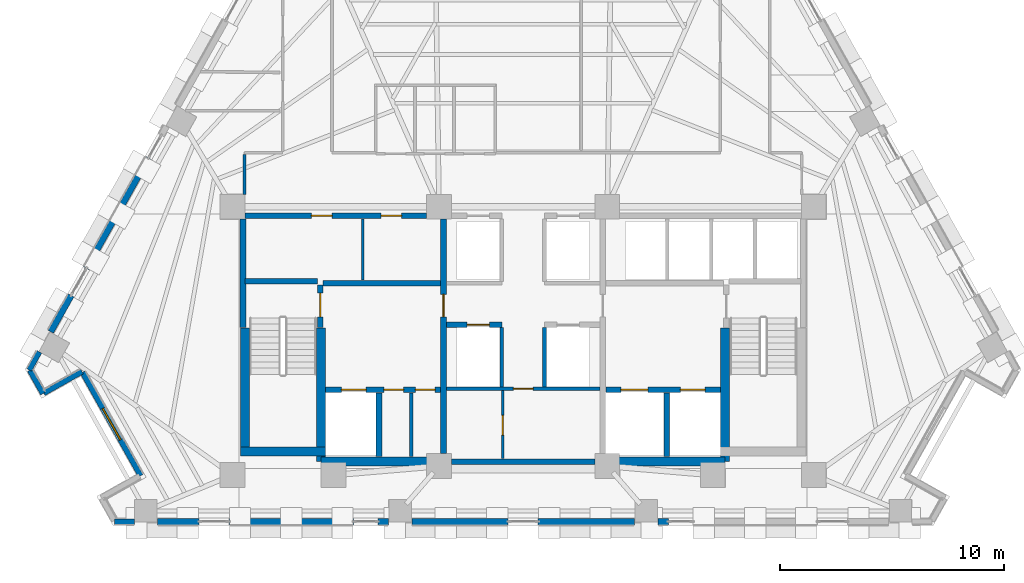
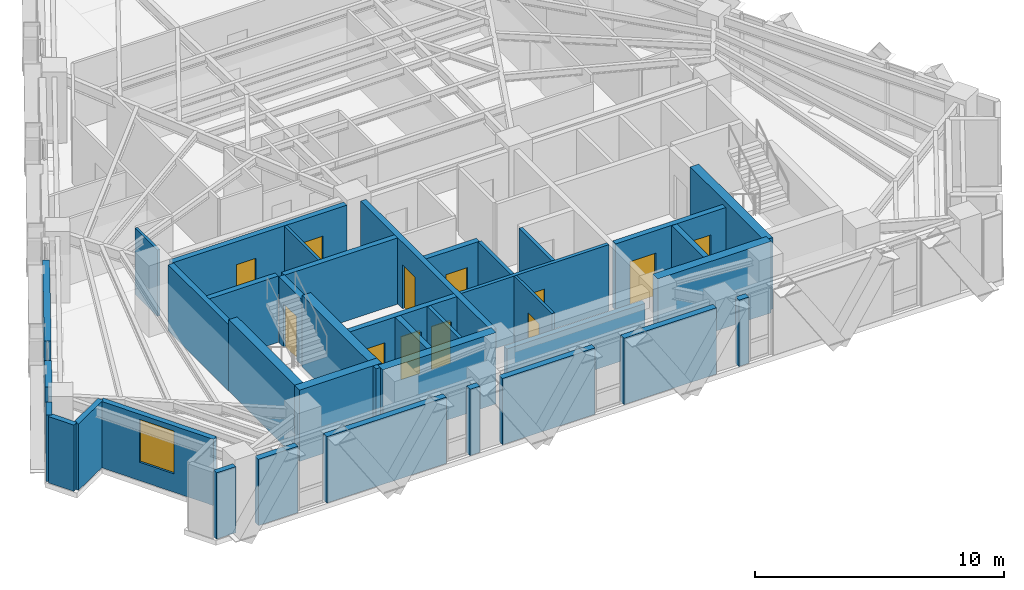
# One storey, part 7 of 13: 38 walls, 12 doors, 1 window, 13 openings.
"""IFC4 building model written with IfcOpenShell, lengths in metres."""

from ifc_helpers import new_model, si_unit, direction, frame, frame_2d, origin, place, context, subcontext, project, spatial, rectangle, extrude, material, layer, layer_set, type_object, element, fill, save


model = new_model("IFC4")

# Units and contexts
model_context = context("Model", 3, precision=1e-05, world=origin(), true_north=direction((0.0, 1.0)))
body_context = subcontext(model_context, "Body", "Model", "MODEL_VIEW")
ifc_project = project(units=[si_unit("LENGTHUNIT", "METRE"), si_unit("AREAUNIT", "SQUARE_METRE"), si_unit("VOLUMEUNIT", "CUBIC_METRE"), si_unit("PLANEANGLEUNIT", "RADIAN"), si_unit("MASSUNIT", "GRAM", prefix="KILO")], contexts=[model_context])

# Site, building, storey
site_placement = place(None, origin())
site = spatial("IfcSite", under=ifc_project, at=site_placement, CompositionType="ELEMENT")
building_placement = place(site_placement, origin())
building = spatial("IfcBuilding", under=site, at=building_placement, Name="Quenlor Broadcast Tower", CompositionType="ELEMENT")
storey_placement = place(building_placement, frame((0.0, 0.0, 161.5)))
storey = spatial("IfcBuildingStorey", under=building, at=storey_placement, Name="L44", CompositionType="ELEMENT", Elevation=161.5)

# Walls
ifc_material_1 = material(Name="Concrete C50/60", Category="concrete")
ifc_layer_1 = layer(ifc_material_1, 0.39990234375)
ifc_layer_set_1 = layer_set([ifc_layer_1], Name="Core Concrete C50/60 Shear Wall 400")
wall_type_1 = type_object("IfcWallType", Name="Core Concrete C50/60 Shear Wall 400", PredefinedType="SHEAR", material=ifc_layer_set_1)
wall_1_placement = place(storey_placement, frame((-12.60009765625, -15.699951171875, 0.0), z_axis=(0.0, 0.0, 1.0), x_axis=(1.0, 0.0, 0.0)))
element("IfcWall", 1, at=wall_1_placement, inside=storey, type_object=wall_type_1, Name="L44 Core Shear Wall WS-W1", PredefinedType="SHEAR", context=body_context, shape_type="SweptSolid", body=[
    extrude(rectangle(XDim=3.800048828125, YDim=0.39990234375, at=frame_2d((1.89990234375, 0.0))), origin(), (0.0, 0.0, 1.0), 3.5),
])
for number, where, z_axis, x_axis, name in (
    (2, (-9.0, -16.14990234375, 0.0), (0.0, 0.0, 1.0), (1.0, 0.0, 0.0), "L44 Core Shear Wall WS-W2"),
    (3, (3.75, -16.14990234375, 0.0), (0.0, 0.0, 1.0), (1.0, 0.0, 0.0), "L44 Core Shear Wall WS-E1"),
):
    element("IfcWall", number, at=place(storey_placement, frame(where, z_axis=z_axis, x_axis=x_axis)), inside=storey, type_object=wall_type_1, Name=name, PredefinedType="SHEAR", context=body_context, shape_type="SweptSolid", body=[
        extrude(rectangle(XDim=5.25, YDim=0.39990234375, at=frame_2d((2.625, 0.0))), origin(), (0.0, 0.0, 1.0), 3.5),
    ])
wall_2_placement = place(storey_placement, frame((-12.39990234375, -15.699951171875, 0.0), z_axis=(0.0, 0.0, 1.0), x_axis=(0.0, 1.0, 0.0)))
element("IfcWall", 4, at=wall_2_placement, inside=storey, type_object=wall_type_1, Name="L44 Core Shear Wall WF-W", PredefinedType="SHEAR", context=body_context, shape_type="SweptSolid", body=[
    extrude(rectangle(XDim=5.5, YDim=0.39990234375, at=frame_2d((2.75, 0.0))), origin(), (0.0, 0.0, 1.0), 3.5),
])
for number, where, z_axis, x_axis, name in (
    (5, (-9.0, -16.14990234375, 0.0), (0.0, 0.0, 1.0), (0.0, 1.0, 0.0), "L44 Core Shear Wall WI-W"),
    (6, (9.0, -16.14990234375, 0.0), (0.0, 0.0, 1.0), (0.0, 1.0, 0.0), "L44 Core Shear Wall WI-E"),
):
    element("IfcWall", number, at=place(storey_placement, frame(where, z_axis=z_axis, x_axis=x_axis)), inside=storey, type_object=wall_type_1, Name=name, PredefinedType="SHEAR", context=body_context, shape_type="SweptSolid", body=[
        extrude(rectangle(XDim=5.949951171875, YDim=0.39990234375, at=frame_2d((2.97509765625, 0.0))), origin(), (0.0, 0.0, 1.0), 3.5),
    ])

# Wall, opening, door
ifc_material_2 = material(Name="Concrete C40/50", Category="concrete")
ifc_layer_2 = layer(ifc_material_2, 0.25)
ifc_layer_set_2 = layer_set([ifc_layer_2], Name="Fire Rated Concrete C40/50 Core Wall 250")
wall_type_2 = type_object("IfcWallType", Name="Fire Rated Concrete C40/50 Core Wall 250", PredefinedType="PARTITIONING", material=ifc_layer_set_2)
wall_3_placement = place(storey_placement, frame((-9.0400390625, -10.179931640625, 0.0), z_axis=(0.0, 0.0, 1.0), x_axis=(0.0, 1.0, 0.0)))
wall_3 = element("IfcWall", 7, at=wall_3_placement, inside=storey, type_object=wall_type_2, Name="L44 Interior Wall CW-ST1-DR", PredefinedType="PARTITIONING", context=body_context, shape_type="SweptSolid", body=[
    extrude(rectangle(XDim=1.89990234375, YDim=0.25, at=frame_2d((0.949951171875, 0.0))), origin(), (0.0, 0.0, 1.0), 3.25),
])
opening_1_placement = place(wall_3_placement, frame((0.47998046875, 0.0, 0.0)))
opening_1 = element("IfcOpeningElement", 8, at=opening_1_placement, cuts=wall_3, Name="Opening FD-1", PredefinedType="OPENING", context=body_context, shape_type="SweptSolid", body=[
    extrude(rectangle(XDim=1.050048828125, YDim=2.14990234375, at=frame_2d((0.52490234375, 1.074951171875))), frame((0.0, 0.135009765625, 0.0), z_axis=(0.0, -1.0, 0.0), x_axis=(1.0, 0.0, 0.0)), (0.0, 0.0, 1.0), 0.27001953125),
])
ifc_material_3 = material(Name="Fire Rated Steel Door Leaf", Category="steel")
door_type_1 = type_object("IfcDoorType", Name="Fire Isolated Stair Door 1050x2150", OperationType="NOTDEFINED", PredefinedType="DOOR", material=ifc_material_3)
door_1_placement = place(opening_1_placement, origin())
door_1 = element("IfcDoor", 9, at=door_1_placement, inside=storey, type_object=door_type_1, Name="L44 Door DR-ST1", OperationType="SINGLE_SWING_LEFT", OverallHeight=2.14990234375, OverallWidth=1.050048828125, PredefinedType="DOOR", context=body_context, shape_type="SweptSolid", body=[
    extrude(rectangle(XDim=1.050048828125, YDim=2.14990234375, at=frame_2d((0.52490234375, 1.074951171875))), frame((0.0, 0.02490234375, 0.0), z_axis=(0.0, -1.0, 0.0), x_axis=(1.0, 0.0, 0.0)), (0.0, 0.0, 1.0), 0.050048828125),
])
fill(opening_1, door_1)

# Walls
wall_4_placement = place(storey_placement, frame((-12.3798828125, -8.1201171875, 0.0), z_axis=(0.0, 0.0, 1.0), x_axis=(1.0, 0.0, 0.0)))
element("IfcWall", 10, at=wall_4_placement, inside=storey, type_object=wall_type_2, Name="L44 Interior Wall CW-ST1-N", PredefinedType="PARTITIONING", context=body_context, shape_type="SweptSolid", body=[
    extrude(rectangle(XDim=3.219970703125, YDim=0.25, at=frame_2d((1.60986328125, 0.0))), origin(), (0.0, 0.0, 1.0), 3.25),
])
wall_5_placement = place(storey_placement, frame((-12.47998046875, -10.179931640625, 0.0), z_axis=(0.0, 0.0, 1.0), x_axis=(0.0, 1.0, 0.0)))
element("IfcWall", 11, at=wall_5_placement, inside=storey, type_object=wall_type_2, Name="L44 Interior Wall CW-ST1-W2", PredefinedType="PARTITIONING", context=body_context, shape_type="SweptSolid", body=[
    extrude(rectangle(XDim=4.827880859375, YDim=0.25, at=frame_2d((2.4140625, 0.0))), origin(), (0.0, 0.0, 1.0), 3.25),
])

# Wall, openings, doors
wall_6_placement = place(storey_placement, frame((-8.798095703125, -12.949951171875, 0.0), z_axis=(0.0, 0.0, 1.0), x_axis=(1.0, 0.0, 0.0)))
wall_6 = element("IfcWall", 12, at=wall_6_placement, inside=storey, type_object=wall_type_2, Name="L44 Interior Wall CW-FFW-S", PredefinedType="PARTITIONING", context=body_context, shape_type="SweptSolid", body=[
    extrude(rectangle(XDim=5.1181640625, YDim=0.25, at=frame_2d((2.55908203125, 0.0))), origin(), (0.0, 0.0, 1.0), 3.25),
])
opening_2_placement = place(wall_6_placement, frame((0.697998046875, 0.0, 0.0)))
opening_2 = element("IfcOpeningElement", 13, at=opening_2_placement, cuts=wall_6, Name="Opening LD-FFL-1", PredefinedType="OPENING", context=body_context, shape_type="SweptSolid", body=[
    extrude(rectangle(XDim=1.10009765625, YDim=2.14990234375, at=frame_2d((0.550048828125, 1.074951171875))), frame((0.0, 0.135009765625, 0.0), z_axis=(0.0, -1.0, 0.0), x_axis=(1.0, 0.0, 0.0)), (0.0, 0.0, 1.0), 0.27001953125),
])
opening_3_placement = place(wall_6_placement, frame((2.597900390625, 0.0, 0.0)))
opening_3 = element("IfcOpeningElement", 14, at=opening_3_placement, cuts=wall_6, Name="Opening TD-1", PredefinedType="OPENING", context=body_context, shape_type="SweptSolid", body=[
    extrude(rectangle(XDim=0.8798828125, YDim=2.10009765625, at=frame_2d((0.43994140625, 1.050048828125))), frame((0.0, 0.135009765625, 0.0), z_axis=(0.0, -1.0, 0.0), x_axis=(1.0, 0.0, 0.0)), (0.0, 0.0, 1.0), 0.27001953125),
])
opening_4_placement = place(wall_6_placement, frame((3.998046875, 0.0, 0.0)))
opening_4 = element("IfcOpeningElement", 15, at=opening_4_placement, cuts=wall_6, Name="Opening TD-1", PredefinedType="OPENING", context=body_context, shape_type="SweptSolid", body=[
    extrude(rectangle(XDim=0.8798828125, YDim=2.10009765625, at=frame_2d((0.43994140625, 1.050048828125))), frame((0.0, 0.135009765625, 0.0), z_axis=(0.0, -1.0, 0.0), x_axis=(1.0, 0.0, 0.0)), (0.0, 0.0, 1.0), 0.27001953125),
])
ifc_material_4 = material(Name="Brushed Stainless Steel", Category="steel")
door_type_2 = type_object("IfcDoorType", Name="Emergency Lift Sliding Landing Door 1100x2150", OperationType="NOTDEFINED", PredefinedType="DOOR", material=ifc_material_4)
door_2_placement = place(opening_2_placement, origin())
door_2 = element("IfcDoor", 16, at=door_2_placement, inside=storey, type_object=door_type_2, Name="L44 Door LD-FFL-1", OperationType="SLIDING_TO_LEFT", OverallHeight=2.14990234375, OverallWidth=1.10009765625, PredefinedType="DOOR", context=body_context, shape_type="SweptSolid", body=[
    extrude(rectangle(XDim=1.10009765625, YDim=2.14990234375, at=frame_2d((0.550048828125, 1.074951171875))), frame((0.0, 0.02490234375, 0.0), z_axis=(0.0, -1.0, 0.0), x_axis=(1.0, 0.0, 0.0)), (0.0, 0.0, 1.0), 0.050048828125),
])
fill(opening_2, door_2)
ifc_material_5 = material(Name="Fire Rated Steel Access Panel", Category="steel")
door_type_3 = type_object("IfcDoorType", Name="Riser Shaft Rated Access Trapdoor 880x2100", OperationType="NOTDEFINED", PredefinedType="TRAPDOOR", material=ifc_material_5)
door_3_placement = place(opening_3_placement, origin())
door_3 = element("IfcDoor", 17, at=door_3_placement, inside=storey, type_object=door_type_3, Name="L44 Door DR-ELR", OperationType="SINGLE_SWING_LEFT", OverallHeight=2.10009765625, OverallWidth=0.8798828125, PredefinedType="TRAPDOOR", context=body_context, shape_type="SweptSolid", body=[
    extrude(rectangle(XDim=0.8798828125, YDim=2.10009765625, at=frame_2d((0.43994140625, 1.050048828125))), frame((0.0, 0.02490234375, 0.0), z_axis=(0.0, -1.0, 0.0), x_axis=(1.0, 0.0, 0.0)), (0.0, 0.0, 1.0), 0.050048828125),
])
fill(opening_3, door_3)
door_4_placement = place(opening_4_placement, origin())
door_4 = element("IfcDoor", 18, at=door_4_placement, inside=storey, type_object=door_type_3, Name="L44 Door DR-CMR", OperationType="SINGLE_SWING_RIGHT", OverallHeight=2.10009765625, OverallWidth=0.8798828125, PredefinedType="TRAPDOOR", context=body_context, shape_type="SweptSolid", body=[
    extrude(rectangle(XDim=0.8798828125, YDim=2.10009765625, at=frame_2d((0.43994140625, 1.050048828125))), frame((0.0, 0.02490234375, 0.0), z_axis=(0.0, -1.0, 0.0), x_axis=(1.0, 0.0, 0.0)), (0.0, 0.0, 1.0), 0.050048828125),
])
fill(opening_4, door_4)

wall_7_placement = place(storey_placement, frame((3.679931640625, -12.949951171875, 0.0), z_axis=(0.0, 0.0, 1.0), x_axis=(1.0, 0.0, 0.0)))
wall_7 = element("IfcWall", 19, at=wall_7_placement, inside=storey, type_object=wall_type_2, Name="L44 Interior Wall CW-FFE-S", PredefinedType="PARTITIONING", context=body_context, shape_type="SweptSolid", body=[
    extrude(rectangle(XDim=5.1181640625, YDim=0.25, at=frame_2d((2.55908203125, 0.0))), origin(), (0.0, 0.0, 1.0), 3.25),
])
opening_5_placement = place(wall_7_placement, frame((3.320068359375, 0.0, 0.0)))
opening_5 = element("IfcOpeningElement", 20, at=opening_5_placement, cuts=wall_7, Name="Opening LD-FFL-2", PredefinedType="OPENING", context=body_context, shape_type="SweptSolid", body=[
    extrude(rectangle(XDim=1.10009765625, YDim=2.14990234375, at=frame_2d((0.550048828125, 1.074951171875))), frame((0.0, 0.135009765625, 0.0), z_axis=(0.0, -1.0, 0.0), x_axis=(1.0, 0.0, 0.0)), (0.0, 0.0, 1.0), 0.27001953125),
])
opening_6_placement = place(wall_7_placement, frame((0.669921875, 0.0, 0.0)))
opening_6 = element("IfcOpeningElement", 21, at=opening_6_placement, cuts=wall_7, Name="Opening LD-SVL-1", PredefinedType="OPENING", context=body_context, shape_type="SweptSolid", body=[
    extrude(rectangle(XDim=1.199951171875, YDim=2.14990234375, at=frame_2d((0.60009765625, 1.074951171875))), frame((0.0, 0.135009765625, 0.0), z_axis=(0.0, -1.0, 0.0), x_axis=(1.0, 0.0, 0.0)), (0.0, 0.0, 1.0), 0.27001953125),
])
door_5_placement = place(opening_5_placement, origin())
door_5 = element("IfcDoor", 22, at=door_5_placement, inside=storey, type_object=door_type_2, Name="L44 Door LD-FFL-2", OperationType="SLIDING_TO_RIGHT", OverallHeight=2.14990234375, OverallWidth=1.10009765625, PredefinedType="DOOR", context=body_context, shape_type="SweptSolid", body=[
    extrude(rectangle(XDim=1.10009765625, YDim=2.14990234375, at=frame_2d((0.550048828125, 1.074951171875))), frame((0.0, 0.02490234375, 0.0), z_axis=(0.0, -1.0, 0.0), x_axis=(1.0, 0.0, 0.0)), (0.0, 0.0, 1.0), 0.050048828125),
])
fill(opening_5, door_5)
ifc_material_6 = material(Name="Brushed Stainless Steel", Category="steel")
door_type_4 = type_object("IfcDoorType", Name="Goods Lift Sliding Landing Door 1200x2150", OperationType="NOTDEFINED", PredefinedType="DOOR", material=ifc_material_6)
door_6_placement = place(opening_6_placement, origin())
door_6 = element("IfcDoor", 23, at=door_6_placement, inside=storey, type_object=door_type_4, Name="L44 Door LD-SVL-1", OperationType="SLIDING_TO_LEFT", OverallHeight=2.14990234375, OverallWidth=1.199951171875, PredefinedType="DOOR", context=body_context, shape_type="SweptSolid", body=[
    extrude(rectangle(XDim=1.199951171875, YDim=2.14990234375, at=frame_2d((0.60009765625, 1.074951171875))), frame((0.0, 0.02490234375, 0.0), z_axis=(0.0, -1.0, 0.0), x_axis=(1.0, 0.0, 0.0)), (0.0, 0.0, 1.0), 0.050048828125),
])
fill(opening_6, door_6)

# Walls
for number, where, z_axis, x_axis, name in (
    (24, (-6.419921875, -15.919921875, 0.0), (0.0, 0.0, 1.0), (0.0, 1.0, 0.0), "L44 Interior Wall CW-FF1-E"),
    (25, (6.39990234375, -15.919921875, 0.0), (0.0, 0.0, 1.0), (0.0, 1.0, 0.0), "L44 Interior Wall CW-SV1-E"),
):
    element("IfcWall", number, at=place(storey_placement, frame(where, z_axis=z_axis, x_axis=x_axis)), inside=storey, type_object=wall_type_2, Name=name, PredefinedType="PARTITIONING", context=body_context, shape_type="SweptSolid", body=[
        extrude(rectangle(XDim=2.829833984375, YDim=0.25, at=frame_2d((1.4150390625, 0.0))), origin(), (0.0, 0.0, 1.0), 3.25),
    ])
wall_8_placement = place(storey_placement, frame((-8.919921875, -8.199951171875, 0.0), z_axis=(0.0, 0.0, 1.0), x_axis=(1.0, 0.0, 0.0)))
element("IfcWall", 26, at=wall_8_placement, inside=storey, type_object=wall_type_2, Name="L44 Interior Wall CW-FFW-N", PredefinedType="PARTITIONING", context=body_context, shape_type="SweptSolid", body=[
    extrude(rectangle(XDim=5.239990234375, YDim=0.25, at=frame_2d((2.6201171875, 0.0))), origin(), (0.0, 0.0, 1.0), 3.25),
])

# Wall, opening, door
wall_9_placement = place(storey_placement, frame((-3.550048828125, -15.798095703125, 0.0), z_axis=(0.0, 0.0, 1.0), x_axis=(0.0, 1.0, 0.0)))
wall_9 = element("IfcWall", 27, at=wall_9_placement, inside=storey, type_object=wall_type_2, Name="L44 Interior Wall CW-FFW-E", PredefinedType="PARTITIONING", context=body_context, shape_type="SweptSolid", body=[
    extrude(rectangle(XDim=10.446044921875, YDim=0.25, at=frame_2d((5.22314453125, 0.0))), origin(), (0.0, 0.0, 1.0), 3.25),
])
opening_7_placement = place(wall_9_placement, frame((6.097900390625, 0.0, 0.0)))
opening_7 = element("IfcOpeningElement", 28, at=opening_7_placement, cuts=wall_9, Name="Opening FD-2", PredefinedType="OPENING", context=body_context, shape_type="SweptSolid", body=[
    extrude(rectangle(XDim=1.0, YDim=2.14990234375, at=frame_2d((0.5, 1.074951171875))), frame((0.0, 0.135009765625, 0.0), z_axis=(0.0, -1.0, 0.0), x_axis=(1.0, 0.0, 0.0)), (0.0, 0.0, 1.0), 0.27001953125),
])
ifc_material_7 = material(Name="Fire Rated Glazed Steel Door", Category="steel")
door_type_5 = type_object("IfcDoorType", Name="Firefighting Lobby Smoke Door 1000x2150", OperationType="NOTDEFINED", PredefinedType="DOOR", material=ifc_material_7)
door_7_placement = place(opening_7_placement, origin())
door_7 = element("IfcDoor", 29, at=door_7_placement, inside=storey, type_object=door_type_5, Name="L44 Door DR-FFLW", OperationType="SINGLE_SWING_RIGHT", OverallHeight=2.14990234375, OverallWidth=1.0, PredefinedType="DOOR", context=body_context, shape_type="SweptSolid", body=[
    extrude(rectangle(XDim=1.0, YDim=2.14990234375, at=frame_2d((0.5, 1.074951171875))), frame((0.0, 0.02490234375, 0.0), z_axis=(0.0, -1.0, 0.0), x_axis=(1.0, 0.0, 0.0)), (0.0, 0.0, 1.0), 0.050048828125),
])
fill(opening_7, door_7)

# Wall, openings, doors
wall_10_placement = place(storey_placement, frame((-12.39794921875, -5.199951171875, 0.0), z_axis=(0.0, 0.0, 1.0), x_axis=(1.0, 0.0, 0.0)))
wall_10 = element("IfcWall", 30, at=wall_10_placement, inside=storey, type_object=wall_type_2, Name="L44 Interior Wall CW-N-W", PredefinedType="PARTITIONING", context=body_context, shape_type="SweptSolid", body=[
    extrude(rectangle(XDim=8.095947265625, YDim=0.25, at=frame_2d((4.0478515625, 0.0))), origin(), (0.0, 0.0, 1.0), 3.25),
])
opening_8_placement = place(wall_10_placement, frame((2.968017578125, 0.0, 0.0)))
opening_8 = element("IfcOpeningElement", 31, at=opening_8_placement, cuts=wall_10, Name="Opening ID-1", PredefinedType="OPENING", context=body_context, shape_type="SweptSolid", body=[
    extrude(rectangle(XDim=0.919921875, YDim=2.1201171875, at=frame_2d((0.4599609375, 1.06005859375))), frame((0.0, 0.135009765625, 0.0), z_axis=(0.0, -1.0, 0.0), x_axis=(1.0, 0.0, 0.0)), (0.0, 0.0, 1.0), 0.27001953125),
])
opening_9_placement = place(wall_10_placement, frame((6.068115234375, 0.0, 0.0)))
opening_9 = element("IfcOpeningElement", 32, at=opening_9_placement, cuts=wall_10, Name="Opening ID-1", PredefinedType="OPENING", context=body_context, shape_type="SweptSolid", body=[
    extrude(rectangle(XDim=0.919921875, YDim=2.1201171875, at=frame_2d((0.4599609375, 1.06005859375))), frame((0.0, 0.135009765625, 0.0), z_axis=(0.0, -1.0, 0.0), x_axis=(1.0, 0.0, 0.0)), (0.0, 0.0, 1.0), 0.27001953125),
])
ifc_material_8 = material(Name="Solid Core Timber Oak", Category="wood")
door_type_6 = type_object("IfcDoorType", Name="Single Leaf Timber Office Door 920x2120", OperationType="NOTDEFINED", PredefinedType="DOOR", material=ifc_material_8)
door_8_placement = place(opening_8_placement, origin())
door_8 = element("IfcDoor", 33, at=door_8_placement, inside=storey, type_object=door_type_6, Name="L44 Door DR-RCL1", OperationType="SINGLE_SWING_LEFT", OverallHeight=2.1201171875, OverallWidth=0.919921875, PredefinedType="DOOR", context=body_context, shape_type="SweptSolid", body=[
    extrude(rectangle(XDim=0.919921875, YDim=2.1201171875, at=frame_2d((0.4599609375, 1.06005859375))), frame((0.0, 0.02490234375, 0.0), z_axis=(0.0, -1.0, 0.0), x_axis=(1.0, 0.0, 0.0)), (0.0, 0.0, 1.0), 0.050048828125),
])
fill(opening_8, door_8)
door_9_placement = place(opening_9_placement, origin())
door_9 = element("IfcDoor", 34, at=door_9_placement, inside=storey, type_object=door_type_6, Name="L44 Door DR-RCL2", OperationType="SINGLE_SWING_RIGHT", OverallHeight=2.1201171875, OverallWidth=0.919921875, PredefinedType="DOOR", context=body_context, shape_type="SweptSolid", body=[
    extrude(rectangle(XDim=0.919921875, YDim=2.1201171875, at=frame_2d((0.4599609375, 1.06005859375))), frame((0.0, 0.02490234375, 0.0), z_axis=(0.0, -1.0, 0.0), x_axis=(1.0, 0.0, 0.0)), (0.0, 0.0, 1.0), 0.050048828125),
])
fill(opening_9, door_9)

# Wall
wall_11_placement = place(storey_placement, frame((-3.197998046875, -16.14990234375, 0.0), z_axis=(0.0, 0.0, 1.0), x_axis=(1.0, 0.0, 0.0)))
element("IfcWall", 35, at=wall_11_placement, inside=storey, type_object=wall_type_2, Name="L44 Interior Wall CW-MS-S", PredefinedType="PARTITIONING", context=body_context, shape_type="SweptSolid", body=[
    extrude(rectangle(XDim=6.39599609375, YDim=0.25, at=frame_2d((3.197998046875, 0.0))), origin(), (0.0, 0.0, 1.0), 2.449951171875),
])

# Wall, opening, door
wall_12_placement = place(storey_placement, frame((-3.419921875, -10.050048828125, 0.0), z_axis=(0.0, 0.0, 1.0), x_axis=(1.0, 0.0, 0.0)))
wall_12 = element("IfcWall", 36, at=wall_12_placement, inside=storey, type_object=wall_type_2, Name="L44 Interior Wall CW-MS-N1", PredefinedType="PARTITIONING", context=body_context, shape_type="SweptSolid", body=[
    extrude(rectangle(XDim=2.469970703125, YDim=0.25, at=frame_2d((1.23486328125, 0.0))), origin(), (0.0, 0.0, 1.0), 3.25),
])
opening_10_placement = place(wall_12_placement, frame((0.919921875, 0.0, 0.0)))
opening_10 = element("IfcOpeningElement", 37, at=opening_10_placement, cuts=wall_12, Name="Opening LD-PL-M3", PredefinedType="OPENING", context=body_context, shape_type="SweptSolid", body=[
    extrude(rectangle(XDim=1.0, YDim=2.14990234375, at=frame_2d((0.5, 1.074951171875))), frame((0.0, 0.135009765625, 0.0), z_axis=(0.0, -1.0, 0.0), x_axis=(1.0, 0.0, 0.0)), (0.0, 0.0, 1.0), 0.27001953125),
])
ifc_material_9 = material(Name="Brushed Stainless Steel", Category="steel")
door_type_7 = type_object("IfcDoorType", Name="Passenger Lift Sliding Landing Door 1000x2150", OperationType="NOTDEFINED", PredefinedType="DOOR", material=ifc_material_9)
door_10_placement = place(opening_10_placement, origin())
door_10 = element("IfcDoor", 38, at=door_10_placement, inside=storey, type_object=door_type_7, Name="L44 Door LD-PL-M3", OperationType="SLIDING_TO_LEFT", OverallHeight=2.14990234375, OverallWidth=1.0, PredefinedType="DOOR", context=body_context, shape_type="SweptSolid", body=[
    extrude(rectangle(XDim=1.0, YDim=2.14990234375, at=frame_2d((0.5, 1.074951171875))), frame((0.0, 0.02490234375, 0.0), z_axis=(0.0, -1.0, 0.0), x_axis=(1.0, 0.0, 0.0)), (0.0, 0.0, 1.0), 0.050048828125),
])
fill(opening_10, door_10)

# Wall
ifc_material_10 = material(Name="Gypsum Fireboard Partition", Category="other")
ifc_layer_3 = layer(ifc_material_10, 0.159912109375)
ifc_layer_set_3 = layer_set([ifc_layer_3], Name="Fire Rated Shaft and Corridor Partition 160")
wall_type_3 = type_object("IfcWallType", Name="Fire Rated Shaft and Corridor Partition 160", PredefinedType="PARTITIONING", material=ifc_layer_set_3)
wall_13_placement = place(storey_placement, frame((-4.97998046875, -15.919921875, 0.0), z_axis=(0.0, 0.0, 1.0), x_axis=(0.0, 1.0, 0.0)))
element("IfcWall", 39, at=wall_13_placement, inside=storey, type_object=wall_type_3, Name="L44 Interior Wall CW-ELR-E", PredefinedType="PARTITIONING", context=body_context, shape_type="SweptSolid", body=[
    extrude(rectangle(XDim=2.829833984375, YDim=0.159912109375, at=frame_2d((1.4150390625, 0.0))), origin(), (0.0, 0.0, 1.0), 3.25),
])

# Wall, opening, door
wall_14_placement = place(storey_placement, frame((-3.419921875, -12.89990234375, 0.0), z_axis=(0.0, 0.0, 1.0), x_axis=(1.0, 0.0, 0.0)))
wall_14 = element("IfcWall", 40, at=wall_14_placement, inside=storey, type_object=wall_type_3, Name="L44 Interior Wall CW-MS-B", PredefinedType="PARTITIONING", context=body_context, shape_type="SweptSolid", body=[
    extrude(rectangle(XDim=6.83984375, YDim=0.159912109375, at=frame_2d((3.419921875, 0.0))), origin(), (0.0, 0.0, 1.0), 3.25),
])
opening_11_placement = place(wall_14_placement, frame((2.97998046875, 0.0, 0.0)))
opening_11 = element("IfcOpeningElement", 41, at=opening_11_placement, cuts=wall_14, Name="Opening ID-4", PredefinedType="OPENING", context=body_context, shape_type="SweptSolid", body=[
    extrude(rectangle(XDim=0.8798828125, YDim=2.1201171875, at=frame_2d((0.43994140625, 1.06005859375))), frame((0.0, 0.08984375, 0.0), z_axis=(0.0, -1.0, 0.0), x_axis=(1.0, 0.0, 0.0)), (0.0, 0.0, 1.0), 0.179931640625),
])
ifc_material_11 = material(Name="Solid Core Timber Oak", Category="wood")
door_type_8 = type_object("IfcDoorType", Name="Service Closet Timber Door 880x2120", OperationType="NOTDEFINED", PredefinedType="DOOR", material=ifc_material_11)
door_11_placement = place(opening_11_placement, origin())
door_11 = element("IfcDoor", 42, at=door_11_placement, inside=storey, type_object=door_type_8, Name="L44 Door DR-CSV0", OperationType="SINGLE_SWING_LEFT", OverallHeight=2.1201171875, OverallWidth=0.8798828125, PredefinedType="DOOR", context=body_context, shape_type="SweptSolid", body=[
    extrude(rectangle(XDim=0.8798828125, YDim=2.1201171875, at=frame_2d((0.43994140625, 1.06005859375))), frame((0.0, 0.02490234375, 0.0), z_axis=(0.0, -1.0, 0.0), x_axis=(1.0, 0.0, 0.0)), (0.0, 0.0, 1.0), 0.050048828125),
])
fill(opening_11, door_11)

# Walls
for number, where, z_axis, x_axis, name in (
    (43, (-0.949951171875, -12.818115234375, 0.0), (0.0, 0.0, 1.0), (0.0, 1.0, 0.0), "L44 Interior Wall CW-MS-W"),
    (44, (0.949951171875, -12.818115234375, 0.0), (0.0, 0.0, 1.0), (0.0, 1.0, 0.0), "L44 Interior Wall CW-MS-E"),
):
    element("IfcWall", number, at=place(storey_placement, frame(where, z_axis=z_axis, x_axis=x_axis)), inside=storey, type_object=wall_type_3, Name=name, PredefinedType="PARTITIONING", context=body_context, shape_type="SweptSolid", body=[
        extrude(rectangle(XDim=2.63818359375, YDim=0.159912109375, at=frame_2d((1.319091796875, 0.0))), origin(), (0.0, 0.0, 1.0), 3.25),
    ])
ifc_material_12 = material(Name="Gypsum Plasterboard Partition", Category="other")
ifc_layer_4 = layer(ifc_material_12, 0.1201171875)
ifc_layer_set_4 = layer_set([ifc_layer_4], Name="Standard Office Partition 120")
wall_type_4 = type_object("IfcWallType", Name="Standard Office Partition 120", PredefinedType="PARTITIONING", material=ifc_layer_set_4)
wall_15_placement = place(storey_placement, frame((-7.14990234375, -8.072998046875, 0.0), z_axis=(0.0, 0.0, 1.0), x_axis=(0.0, 1.0, 0.0)))
element("IfcWall", 45, at=wall_15_placement, inside=storey, type_object=wall_type_4, Name="L44 Interior Wall CW-RCL-MID", PredefinedType="PARTITIONING", context=body_context, shape_type="SweptSolid", body=[
    extrude(rectangle(XDim=2.73291015625, YDim=0.1201171875, at=frame_2d((1.366455078125, 0.0))), origin(), (0.0, 0.0, 1.0), 3.25),
])

# Wall, opening, door
wall_16_placement = place(storey_placement, frame((-0.909912109375, -16.02001953125, 0.0), z_axis=(0.0, 0.0, 1.0), x_axis=(0.0, 1.0, 0.0)))
wall_16 = element("IfcWall", 46, at=wall_16_placement, inside=storey, type_object=wall_type_4, Name="L44 Interior Wall CW-CSV-W1", PredefinedType="PARTITIONING", context=body_context, shape_type="SweptSolid", body=[
    extrude(rectangle(XDim=3.0380859375, YDim=0.1201171875, at=frame_2d((1.51904296875, 0.0))), origin(), (0.0, 0.0, 1.0), 3.25),
])
opening_12_placement = place(wall_16_placement, frame((1.050048828125, 0.0, 0.0)))
opening_12 = element("IfcOpeningElement", 47, at=opening_12_placement, cuts=wall_16, Name="Opening ID-4", PredefinedType="OPENING", context=body_context, shape_type="SweptSolid", body=[
    extrude(rectangle(XDim=0.8798828125, YDim=2.1201171875, at=frame_2d((0.43994140625, 1.06005859375))), frame((0.0, 0.070068359375, 0.0), z_axis=(0.0, -1.0, 0.0), x_axis=(1.0, 0.0, 0.0)), (0.0, 0.0, 1.0), 0.14013671875),
])
door_12_placement = place(opening_12_placement, origin())
door_12 = element("IfcDoor", 48, at=door_12_placement, inside=storey, type_object=door_type_8, Name="L44 Door DR-CSV1", OperationType="SINGLE_SWING_LEFT", OverallHeight=2.1201171875, OverallWidth=0.8798828125, PredefinedType="DOOR", context=body_context, shape_type="SweptSolid", body=[
    extrude(rectangle(XDim=0.8798828125, YDim=2.1201171875, at=frame_2d((0.43994140625, 1.06005859375))), frame((0.0, 0.02490234375, 0.0), z_axis=(0.0, -1.0, 0.0), x_axis=(1.0, 0.0, 0.0)), (0.0, 0.0, 1.0), 0.050048828125),
])
fill(opening_12, door_12)

# Walls
wall_17_placement = place(storey_placement, frame((-12.409912109375, -4.248046875, 0.0), z_axis=(0.0, 0.0, 1.0), x_axis=(0.0, 1.0, 0.0)))
element("IfcWall", 49, at=wall_17_placement, inside=storey, type_object=wall_type_4, Name="L44 Interior Wall PW-CR-09", PredefinedType="PARTITIONING", context=body_context, shape_type="SweptSolid", body=[
    extrude(rectangle(XDim=1.7861328125, YDim=0.1201171875, at=frame_2d((0.89306640625, 0.0))), origin(), (0.0, 0.0, 1.0), 3.25),
])
ifc_material_13 = material(Name="Precast concrete C40/50", Category="concrete")
ifc_layer_5 = layer(ifc_material_13, 0.239990234375)
ifc_layer_set_5 = layer_set([ifc_layer_5], Name="Terrace Threshold Precast Concrete C40/50 Wall 240")
wall_type_5 = type_object("IfcWallType", Name="Terrace Threshold Precast Concrete C40/50 Wall 240", PredefinedType="STANDARD", material=ifc_layer_set_5)
wall_18_placement = place(storey_placement, frame((-17.3134765625, -18.824951171875, 0.0), z_axis=(0.0, 0.0, 1.0), x_axis=(-1.0, 0.0, 0.0)))
element("IfcWall", 50, at=wall_18_placement, inside=storey, type_object=wall_type_5, Name="L44 Exterior Wall L44-SHD-SS1", PredefinedType="STANDARD", context=body_context, shape_type="SweptSolid", body=[
    extrude(rectangle(XDim=0.896484375, YDim=0.239990234375, at=frame_2d((0.4482421875, 0.0))), origin(), (0.0, 0.0, 1.0), 3.25),
])
wall_19_placement = place(storey_placement, frame((-22.003173828125, -12.073486328125, 0.0), z_axis=(0.0, 0.0, 1.0), x_axis=(0.490248718924, 0.871582579905, 0.0)))
element("IfcWall", 51, at=wall_19_placement, inside=storey, type_object=wall_type_5, Name="L44 Exterior Wall L44-SHD-NWS0", PredefinedType="STANDARD", context=body_context, shape_type="SweptSolid", body=[
    extrude(rectangle(XDim=0.92578125, YDim=0.239990234375, at=frame_2d((0.462890625, 0.0))), origin(), (0.0, 0.0, 1.0), 3.25),
])
wall_20_placement = place(storey_placement, frame((-21.976806640625, -12.08349609375, 0.0), z_axis=(0.0, 0.0, 1.0), x_axis=(0.490154352582, -0.871635652463, 0.0)))
element("IfcWall", 52, at=wall_20_placement, inside=storey, type_object=wall_type_5, Name="L44 Exterior Wall L44-CNR-12", PredefinedType="STANDARD", context=body_context, shape_type="SweptSolid", body=[
    extrude(rectangle(XDim=1.19287109375, YDim=0.239990234375, at=frame_2d((0.596435546875, 0.0))), origin(), (0.0, 0.0, 1.0), 3.25),
])
wall_21_placement = place(storey_placement, frame((-21.357421875, -13.103515625, 0.0), z_axis=(0.0, 0.0, 1.0), x_axis=(0.871595493845, 0.490225759328, 0.0)))
element("IfcWall", 53, at=wall_21_placement, inside=storey, type_object=wall_type_5, Name="L44 Exterior Wall L44-CNR-13", PredefinedType="STANDARD", context=body_context, shape_type="SweptSolid", body=[
    extrude(rectangle(XDim=1.960205078125, YDim=0.239990234375, at=frame_2d((0.97998046875, 0.0))), origin(), (0.0, 0.0, 1.0), 3.25),
])

# Wall, opening, window
wall_22_placement = place(storey_placement, frame((-19.62939453125, -12.177490234375, 0.0), z_axis=(0.0, 0.0, 1.0), x_axis=(0.490276606961, -0.871566892824, 0.0)))
wall_22 = element("IfcWall", 54, at=wall_22_placement, inside=storey, type_object=wall_type_5, Name="L44 Exterior Wall L44-CNR-14", PredefinedType="STANDARD", context=body_context, shape_type="SweptSolid", body=[
    extrude(rectangle(XDim=5.280029296875, YDim=0.239990234375, at=frame_2d((2.64013671875, 0.0))), origin(), (0.0, 0.0, 1.0), 3.25),
])
opening_13_placement = place(wall_22_placement, frame((1.840087890625, 0.0, 0.89990234375)))
opening_13 = element("IfcOpeningElement", 55, at=opening_13_placement, cuts=wall_22, Name="Opening WN-2", PredefinedType="OPENING", context=body_context, shape_type="SweptSolid", body=[
    extrude(rectangle(XDim=1.60009765625, YDim=2.10009765625, at=frame_2d((0.800048828125, 1.050048828125))), frame((0.0, 0.1298828125, 0.0), z_axis=(0.0, -1.0, 0.0), x_axis=(1.0, 0.0, 0.0)), (0.0, 0.0, 1.0), 0.260009765625),
])
ifc_material_14 = material(Name="Thermally Broken Aluminium and Low-E Glass", Category="aluminium")
window_type = type_object("IfcWindowType", Name="Tower Studio Punched Window 1600x2100", PartitioningType="SINGLE_PANEL", PredefinedType="WINDOW", material=ifc_material_14)
window_placement = place(opening_13_placement, origin())
window = element("IfcWindow", 56, at=window_placement, inside=storey, type_object=window_type, Name="L44 Corner Chamfer Window 14", OverallHeight=2.10009765625, OverallWidth=1.60009765625, PartitioningType="SINGLE_PANEL", PredefinedType="WINDOW", context=body_context, shape_type="SweptSolid", body=[
    extrude(rectangle(XDim=1.60009765625, YDim=2.10009765625, at=frame_2d((0.800048828125, 1.050048828125))), frame((0.0, 0.030029296875, 0.0), z_axis=(0.0, -1.0, 0.0), x_axis=(1.0, 0.0, 0.0)), (0.0, 0.0, 1.0), 0.06005859375),
])
fill(opening_13, window)

# Walls
ifc_material_15 = material(Name="Precast concrete C40/50", Category="concrete")
ifc_layer_6 = layer(ifc_material_15, 0.280029296875)
ifc_layer_set_6 = layer_set([ifc_layer_6], Name="Terracotta Precast Concrete C40/50 Facade Wall 280")
wall_type_6 = type_object("IfcWallType", Name="Terracotta Precast Concrete C40/50 Facade Wall 280", PredefinedType="STANDARD", material=ifc_layer_set_6)
for number, where, z_axis, x_axis, name in (
    (57, (6.466064453125, -18.824951171875, 0.0), (0.0, 0.0, 1.0), (-1.0, 0.0, 0.0), "L44 Exterior Wall L44-SA-SP3"),
    (58, (-6.006103515625, -18.824951171875, 0.0), (0.0, 0.0, 1.0), (-1.0, 0.0, 0.0), "L44 Exterior Wall L44-SC-SP1"),
):
    element("IfcWall", number, at=place(storey_placement, frame(where, z_axis=z_axis, x_axis=x_axis)), inside=storey, type_object=wall_type_6, Name=name, PredefinedType="STANDARD", context=body_context, shape_type="SweptSolid", body=[
        extrude(rectangle(XDim=0.4599609375, YDim=0.280029296875, at=frame_2d((0.22998046875, 0.0))), origin(), (0.0, 0.0, 1.0), 3.25),
    ])
wall_23_placement = place(storey_placement, frame((-7.556884765625, -18.824951171875, 0.0), z_axis=(0.0, 0.0, 1.0), x_axis=(-1.0, 0.0, 0.0)))
element("IfcWall", 59, at=wall_23_placement, inside=storey, type_object=wall_type_6, Name="L44 Exterior Wall L44-SC-SP2", PredefinedType="STANDARD", context=body_context, shape_type="SweptSolid", body=[
    extrude(rectangle(XDim=5.550048828125, YDim=0.280029296875, at=frame_2d((2.77490234375, 0.0))), origin(), (0.0, 0.0, 1.0), 3.25),
])
wall_24_placement = place(storey_placement, frame((-14.445068359375, -18.824951171875, 0.0), z_axis=(0.0, 0.0, 1.0), x_axis=(-1.0, 0.0, 0.0)))
element("IfcWall", 60, at=wall_24_placement, inside=storey, type_object=wall_type_6, Name="L44 Exterior Wall L44-SC-SP3", PredefinedType="STANDARD", context=body_context, shape_type="SweptSolid", body=[
    extrude(rectangle(XDim=1.83837890625, YDim=0.280029296875, at=frame_2d((0.919189453125, 0.0))), origin(), (0.0, 0.0, 1.0), 3.25),
])
for number, where, z_axis, x_axis, name in (
    (61, (4.9609375, -18.824951171875, 0.0), (0.0, 0.0, 1.0), (-1.0, 0.0, 0.0), "L44 Exterior Wall L44-S-SP1"),
    (62, (-0.6689453125, -18.824951171875, 0.0), (0.0, 0.0, 1.0), (-1.0, 0.0, 0.0), "L44 Exterior Wall L44-S-SP2"),
):
    element("IfcWall", number, at=place(storey_placement, frame(where, z_axis=z_axis, x_axis=x_axis)), inside=storey, type_object=wall_type_6, Name=name, PredefinedType="STANDARD", context=body_context, shape_type="SweptSolid", body=[
        extrude(rectangle(XDim=4.2919921875, YDim=0.280029296875, at=frame_2d((2.14599609375, 0.0))), origin(), (0.0, 0.0, 1.0), 3.25),
    ])
wall_25_placement = place(storey_placement, frame((-21.044189453125, -10.368896484375, 0.0), z_axis=(0.0, 0.0, 1.0), x_axis=(0.490248749158, 0.871582562899, 0.0)))
element("IfcWall", 63, at=wall_25_placement, inside=storey, type_object=wall_type_6, Name="L44 Exterior Wall L44-NWA-SP1", PredefinedType="STANDARD", context=body_context, shape_type="SweptSolid", body=[
    extrude(rectangle(XDim=1.85595703125, YDim=0.280029296875, at=frame_2d((0.927978515625, 0.0))), origin(), (0.0, 0.0, 1.0), 3.25),
])
wall_26_placement = place(storey_placement, frame((-19.452880859375, -7.5400390625, 0.0), z_axis=(0.0, 0.0, 1.0), x_axis=(0.490238645956, 0.871588245682, 0.0)))
element("IfcWall", 64, at=wall_26_placement, inside=storey, type_object=wall_type_6, Name="L44 Exterior Wall L44-NWA-SP2", PredefinedType="STANDARD", context=body_context, shape_type="SweptSolid", body=[
    extrude(rectangle(XDim=5.643310546875, YDim=0.280029296875, at=frame_2d((2.82177734375, 0.0))), origin(), (0.0, 0.0, 1.0), 3.25),
])

save(model, "model.ifc")
